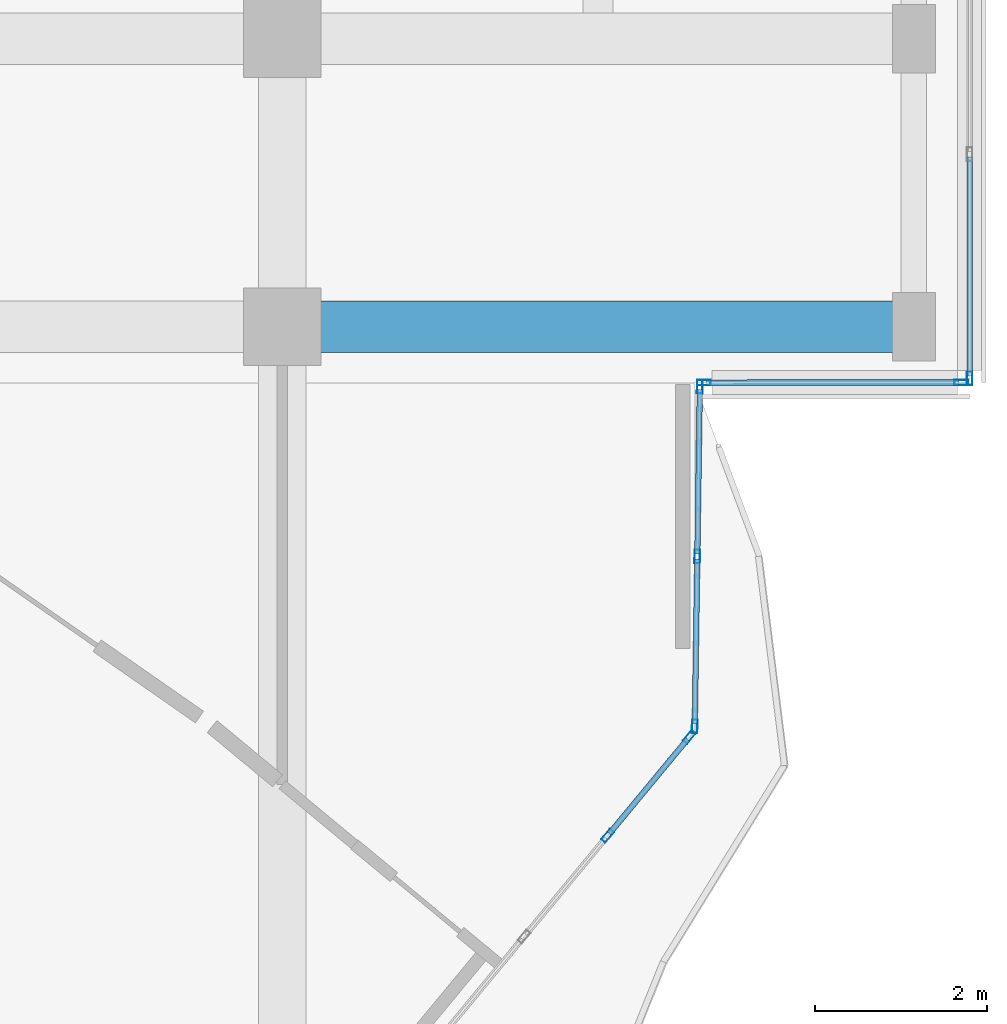
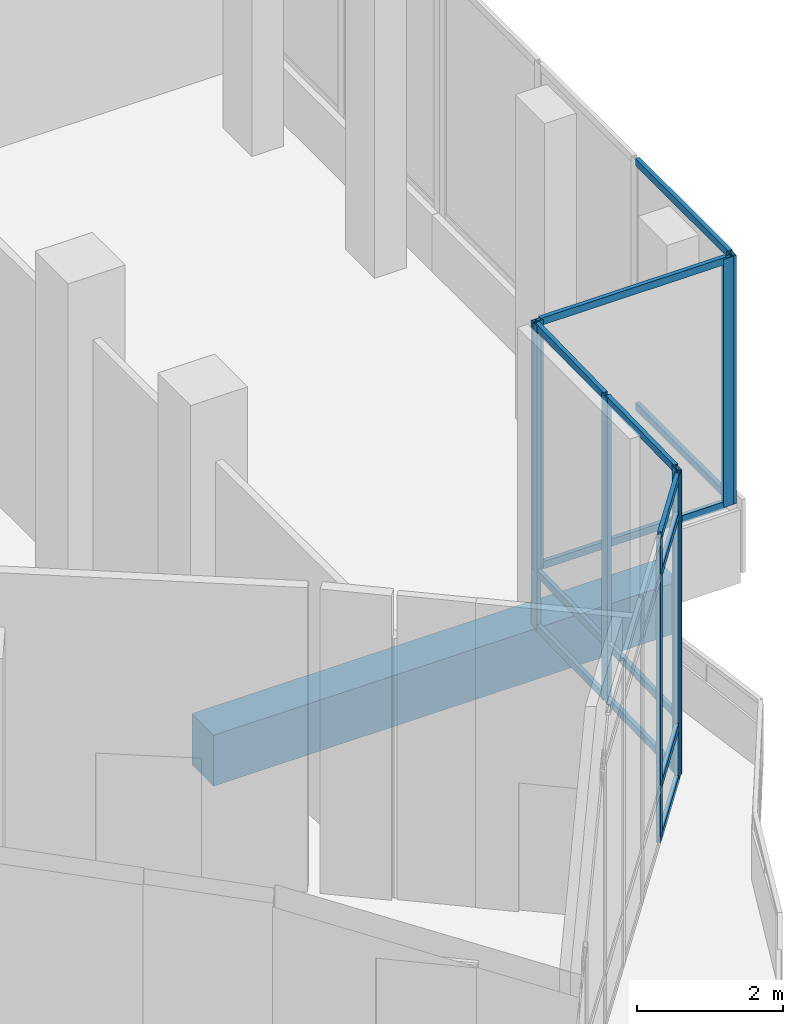
# One storey, part 102 of 158: 22 members, 1 beam, 4 elements without a shape of their own.
"""IFC4 building model written with IfcOpenShell, lengths in metres."""

from ifc_helpers import new_model, si_unit, direction, frame, origin, origin_2d, place, context, subcontext, project, spatial, rectangle, hollow_rectangle, extrude, material, material_profile, profile_set, type_object, element, aggregate, save


model = new_model("IFC4")

# Units and contexts
model_context = context("Model", 3, precision=1e-05, world=origin(), true_north=direction((0.0, 1.0)))
body_context = subcontext(model_context, "Body", "Model", "MODEL_VIEW")
ifc_project = project(units=[si_unit("LENGTHUNIT", "METRE"), si_unit("AREAUNIT", "SQUARE_METRE"), si_unit("VOLUMEUNIT", "CUBIC_METRE"), si_unit("PLANEANGLEUNIT", "RADIAN"), si_unit("MASSUNIT", "GRAM", prefix="KILO")], contexts=[model_context])

# Site, building, storey
site_placement = place(None, origin())
site = spatial("IfcSite", under=ifc_project, at=site_placement, CompositionType="ELEMENT")
building_placement = place(site_placement, origin())
building = spatial("IfcBuilding", under=site, at=building_placement, Name="Selatvlak General Hospital", CompositionType="ELEMENT")
storey_placement = place(building_placement, origin())
storey = spatial("IfcBuildingStorey", under=building, at=storey_placement, Name="L00", CompositionType="ELEMENT", Elevation=0.0)

# Beam
ifc_material_1 = material(Name="Concrete C40/50", Category="concrete")
ifc_material_profile_1 = material_profile(ifc_material_1, rectangle(XDim=0.60009765625, YDim=0.85009765625, at=origin_2d()), Name="RC-BM 600x850")
ifc_profile_set_1 = profile_set([ifc_material_profile_1], Name="Concrete C40/50")
beam_type = type_object("IfcBeamType", Name="BM-G01", PredefinedType="BEAM", material=ifc_profile_set_1)
beam_placement = place(storey_placement, frame((174.0, 64.64990234375, -0.77490234375), z_axis=(1.0, 0.0, 0.0), x_axis=(0.0, 1.0, 0.0)))
element("IfcBeam", 1, at=beam_placement, inside=storey, type_object=beam_type, Name="Beam BMR-L00-0012", PredefinedType="BEAM", context=body_context, shape_type="SweptSolid", body=[
    extrude(rectangle(XDim=0.60009765625, YDim=0.85009765625, at=origin_2d()), origin(), (0.0, 0.0, 1.0), 7.35009765625),
])

# Curtain wall, member
ifc_material_2 = material(Name="Solar-control Low-E double glazing", Category="glass")
curtain_wall_type_1 = type_object("IfcCurtainWallType", Name="CW-CW-02", PredefinedType="USERDEFINED", material=ifc_material_2)
curtain_wall_1_placement = place(storey_placement, origin())
curtain_wall_1 = element("IfcCurtainWall", 2, at=curtain_wall_1_placement, inside=storey, type_object=curtain_wall_type_1, Name="Glazed facade curtain wall CW-L00-0017", ObjectType="UNITISED CURTAIN WALL", PredefinedType="USERDEFINED")
ifc_material_3 = material(Name="Dark anodised aluminium mullion", Category="aluminium")
ifc_material_profile_2 = material_profile(ifc_material_3, hollow_rectangle(XDim=0.06494140625, YDim=0.159912109375, WallThickness=0.00390625, at=origin_2d()), Name="AL-MUL 65x160x4")
ifc_profile_set_2 = profile_set([ifc_material_profile_2], Name="Dark anodised aluminium mullion")
member_type_1 = type_object("IfcMemberType", Name="CWM-01", PredefinedType="MULLION", material=ifc_profile_set_2)
member_1_placement = place(storey_placement, frame((182.0, 64.048583984375, 0.93994140625), z_axis=(0.0, 0.0, 1.0), x_axis=(1.0, 0.0, 0.0)))
member_1 = element("IfcMember", 3, at=member_1_placement, type_object=member_type_1, Name="CW-02 mullion 4", PredefinedType="MULLION", context=body_context, shape_type="SweptSolid", body=[
    extrude(hollow_rectangle(XDim=0.06494140625, YDim=0.159912109375, WallThickness=0.00390625, at=origin_2d()), origin(), (0.0, 0.0, 1.0), 4.14013671875),
])

# Curtain wall, members
curtain_wall_2_placement = place(storey_placement, origin())
curtain_wall_2 = element("IfcCurtainWall", 4, at=curtain_wall_2_placement, inside=storey, type_object=curtain_wall_type_1, Name="Glazed facade curtain wall CW-L00-0018", ObjectType="UNITISED CURTAIN WALL", PredefinedType="USERDEFINED")
member_2_placement = place(storey_placement, frame((181.902587890625, 64.0009765625, 0.93994140625), z_axis=(0.0, 0.0, 1.0), x_axis=(0.000326797363, -0.999999946602, 0.0)))
member_2 = element("IfcMember", 5, at=member_2_placement, type_object=member_type_1, Name="CW-02 mullion 1", PredefinedType="MULLION", context=body_context, shape_type="SweptSolid", body=[
    extrude(hollow_rectangle(XDim=0.06494140625, YDim=0.159912109375, WallThickness=0.00390625, at=origin_2d()), origin(), (0.0, 0.0, 1.0), 4.14013671875),
])
member_3_placement = place(storey_placement, frame((178.907470703125, 64.0, 0.93994140625), z_axis=(0.0, 0.0, 1.0), x_axis=(0.000326797363, -0.999999946602, 0.0)))
member_3 = element("IfcMember", 6, at=member_3_placement, type_object=member_type_1, Name="CW-02 mullion 2", PredefinedType="MULLION", context=body_context, shape_type="SweptSolid", body=[
    extrude(hollow_rectangle(XDim=0.06494140625, YDim=0.159912109375, WallThickness=0.00390625, at=origin_2d()), origin(), (0.0, 0.0, 1.0), 4.14013671875),
])

curtain_wall_type_2 = type_object("IfcCurtainWallType", Name="CW-CW-01", PredefinedType="USERDEFINED", material=ifc_material_2)
curtain_wall_3_placement = place(storey_placement, origin())
curtain_wall_3 = element("IfcCurtainWall", 7, at=curtain_wall_3_placement, inside=storey, type_object=curtain_wall_type_2, Name="Glazed facade curtain wall CW-L00-0019", ObjectType="UNITISED CURTAIN WALL", PredefinedType="USERDEFINED")
member_4_placement = place(storey_placement, frame((178.859619140625, 63.952392578125, 0.0), z_axis=(0.0, 0.0, 1.0), x_axis=(0.999888635224, -0.014923710969, 0.0)))
member_4 = element("IfcMember", 8, at=member_4_placement, type_object=member_type_1, Name="CW-01 mullion 1", PredefinedType="MULLION", context=body_context, shape_type="SweptSolid", body=[
    extrude(hollow_rectangle(XDim=0.06494140625, YDim=0.159912109375, WallThickness=0.00390625, at=origin_2d()), origin(), (0.0, 0.0, 1.0), 5.080078125),
])
member_5_placement = place(storey_placement, frame((178.830078125, 61.97509765625, 0.0), z_axis=(0.0, 0.0, 1.0), x_axis=(0.999888635224, -0.014923710969, 0.0)))
member_5 = element("IfcMember", 9, at=member_5_placement, type_object=member_type_1, Name="CW-01 mullion 2", PredefinedType="MULLION", context=body_context, shape_type="SweptSolid", body=[
    extrude(hollow_rectangle(XDim=0.06494140625, YDim=0.159912109375, WallThickness=0.00390625, at=origin_2d()), origin(), (0.0, 0.0, 1.0), 5.080078125),
])
member_6_placement = place(storey_placement, frame((178.800537109375, 59.99755859375, 0.0), z_axis=(0.0, 0.0, 1.0), x_axis=(0.999888635224, -0.014923710969, 0.0)))
member_6 = element("IfcMember", 10, at=member_6_placement, type_object=member_type_1, Name="CW-01 mullion 3", PredefinedType="MULLION", context=body_context, shape_type="SweptSolid", body=[
    extrude(hollow_rectangle(XDim=0.06494140625, YDim=0.159912109375, WallThickness=0.00390625, at=origin_2d()), origin(), (0.0, 0.0, 1.0), 5.080078125),
])

curtain_wall_4_placement = place(storey_placement, origin())
curtain_wall_4 = element("IfcCurtainWall", 11, at=curtain_wall_4_placement, inside=storey, type_object=curtain_wall_type_2, Name="Glazed facade curtain wall CW-L00-0021", ObjectType="UNITISED CURTAIN WALL", PredefinedType="USERDEFINED")
member_7_placement = place(storey_placement, frame((178.7373046875, 59.8740234375, 0.0), z_axis=(0.0, 0.0, 1.0), x_axis=(0.770251713592, -0.637739992245, 0.0)))
member_7 = element("IfcMember", 12, at=member_7_placement, type_object=member_type_1, Name="CW-01 mullion 1", PredefinedType="MULLION", context=body_context, shape_type="SweptSolid", body=[
    extrude(hollow_rectangle(XDim=0.06494140625, YDim=0.159912109375, WallThickness=0.00390625, at=origin_2d()), origin(), (0.0, 0.0, 1.0), 5.080078125),
])
member_8_placement = place(storey_placement, frame((177.785888671875, 58.724853515625, 0.0), z_axis=(0.0, 0.0, 1.0), x_axis=(0.770251713592, -0.637739992245, 0.0)))
member_8 = element("IfcMember", 13, at=member_8_placement, type_object=member_type_1, Name="CW-01 mullion 2", PredefinedType="MULLION", context=body_context, shape_type="SweptSolid", body=[
    extrude(hollow_rectangle(XDim=0.06494140625, YDim=0.159912109375, WallThickness=0.00390625, at=origin_2d()), origin(), (0.0, 0.0, 1.0), 5.080078125),
])

# Member
ifc_material_profile_3 = material_profile(ifc_material_3, hollow_rectangle(XDim=0.06494140625, YDim=0.1201171875, WallThickness=0.00390625, at=origin_2d()), Name="AL-TRN 65x120x4")
ifc_profile_set_3 = profile_set([ifc_material_profile_3], Name="Dark anodised aluminium mullion")
member_type_2 = type_object("IfcMemberType", Name="CWT-01", PredefinedType="USERDEFINED", material=ifc_profile_set_3)
member_9_placement = place(storey_placement, frame((182.0, 66.62353515625, 0.972412109375), z_axis=(0.0, -1.0, 0.0), x_axis=(1.0, 0.0, 0.0)))
member_9 = element("IfcMember", 14, at=member_9_placement, type_object=member_type_2, Name="CW-02 transom 3.1", ObjectType="TRANSOM", PredefinedType="USERDEFINED", context=body_context, shape_type="SweptSolid", body=[
    extrude(hollow_rectangle(XDim=0.06494140625, YDim=0.1201171875, WallThickness=0.00390625, at=origin_2d()), origin(), (0.0, 0.0, 1.0), 2.54248046875),
])

member_10_placement = place(storey_placement, frame((182.0, 66.62353515625, 5.047607421875), z_axis=(0.0, -1.0, 0.0), x_axis=(1.0, 0.0, 0.0)))
member_10 = element("IfcMember", 15, at=member_10_placement, type_object=member_type_2, Name="CW-02 transom 3.2", ObjectType="TRANSOM", PredefinedType="USERDEFINED", context=body_context, shape_type="SweptSolid", body=[
    extrude(hollow_rectangle(XDim=0.06494140625, YDim=0.1201171875, WallThickness=0.00390625, at=origin_2d()), origin(), (0.0, 0.0, 1.0), 2.54248046875),
])

aggregate(curtain_wall_1, [member_1, member_9, member_10])

member_11_placement = place(storey_placement, frame((181.8701171875, 64.0009765625, 0.972412109375), z_axis=(-0.999999944463, -0.000333277769, 0.0), x_axis=(0.000333277769, -0.999999944463, 0.0)))
member_11 = element("IfcMember", 16, at=member_11_placement, type_object=member_type_2, Name="CW-02 transom 1.1", ObjectType="TRANSOM", PredefinedType="USERDEFINED", context=body_context, shape_type="SweptSolid", body=[
    extrude(hollow_rectangle(XDim=0.06494140625, YDim=0.1201171875, WallThickness=0.00390625, at=origin_2d()), origin(), (0.0, 0.0, 1.0), 2.93017578125),
])

member_12_placement = place(storey_placement, frame((181.8701171875, 64.0009765625, 5.047607421875), z_axis=(-0.999999944463, -0.000333277769, 0.0), x_axis=(0.000333277769, -0.999999944463, 0.0)))
member_12 = element("IfcMember", 17, at=member_12_placement, type_object=member_type_2, Name="CW-02 transom 1.2", ObjectType="TRANSOM", PredefinedType="USERDEFINED", context=body_context, shape_type="SweptSolid", body=[
    extrude(hollow_rectangle(XDim=0.06494140625, YDim=0.1201171875, WallThickness=0.00390625, at=origin_2d()), origin(), (0.0, 0.0, 1.0), 2.93017578125),
])

aggregate(curtain_wall_2, [member_2, member_3, member_11, member_12])

member_13_placement = place(storey_placement, frame((178.859130859375, 63.919921875, 0.032470703125), z_axis=(-0.014935139839, -0.999888464579, 0.0), x_axis=(0.999888464579, -0.014935139839, 0.0)))
member_13 = element("IfcMember", 18, at=member_13_placement, type_object=member_type_2, Name="CW-01 transom 1.1", ObjectType="TRANSOM", PredefinedType="USERDEFINED", context=body_context, shape_type="SweptSolid", body=[
    extrude(hollow_rectangle(XDim=0.06494140625, YDim=0.1201171875, WallThickness=0.00390625, at=origin_2d()), origin(), (0.0, 0.0, 1.0), 1.91259765625),
])

member_14_placement = place(storey_placement, frame((178.859130859375, 63.919921875, 0.949951171875), z_axis=(-0.014935139839, -0.999888464579, 0.0), x_axis=(0.999888464579, -0.014935139839, 0.0)))
member_14 = element("IfcMember", 19, at=member_14_placement, type_object=member_type_2, Name="CW-01 transom 1.2", ObjectType="TRANSOM", PredefinedType="USERDEFINED", context=body_context, shape_type="SweptSolid", body=[
    extrude(hollow_rectangle(XDim=0.06494140625, YDim=0.1201171875, WallThickness=0.00390625, at=origin_2d()), origin(), (0.0, 0.0, 1.0), 1.91259765625),
])

member_15_placement = place(storey_placement, frame((178.859130859375, 63.919921875, 5.047607421875), z_axis=(-0.014935139839, -0.999888464579, 0.0), x_axis=(0.999888464579, -0.014935139839, 0.0)))
member_15 = element("IfcMember", 20, at=member_15_placement, type_object=member_type_2, Name="CW-01 transom 1.3", ObjectType="TRANSOM", PredefinedType="USERDEFINED", context=body_context, shape_type="SweptSolid", body=[
    extrude(hollow_rectangle(XDim=0.06494140625, YDim=0.1201171875, WallThickness=0.00390625, at=origin_2d()), origin(), (0.0, 0.0, 1.0), 1.91259765625),
])

member_16_placement = place(storey_placement, frame((178.82958984375, 61.9423828125, 0.032470703125), z_axis=(-0.014935139839, -0.999888464579, 0.0), x_axis=(0.999888464579, -0.014935139839, 0.0)))
member_16 = element("IfcMember", 21, at=member_16_placement, type_object=member_type_2, Name="CW-01 transom 2.1", ObjectType="TRANSOM", PredefinedType="USERDEFINED", context=body_context, shape_type="SweptSolid", body=[
    extrude(hollow_rectangle(XDim=0.06494140625, YDim=0.1201171875, WallThickness=0.00390625, at=origin_2d()), origin(), (0.0, 0.0, 1.0), 1.91259765625),
])

member_17_placement = place(storey_placement, frame((178.82958984375, 61.9423828125, 0.949951171875), z_axis=(-0.014935139839, -0.999888464579, 0.0), x_axis=(0.999888464579, -0.014935139839, 0.0)))
member_17 = element("IfcMember", 22, at=member_17_placement, type_object=member_type_2, Name="CW-01 transom 2.2", ObjectType="TRANSOM", PredefinedType="USERDEFINED", context=body_context, shape_type="SweptSolid", body=[
    extrude(hollow_rectangle(XDim=0.06494140625, YDim=0.1201171875, WallThickness=0.00390625, at=origin_2d()), origin(), (0.0, 0.0, 1.0), 1.91259765625),
])

member_18_placement = place(storey_placement, frame((178.82958984375, 61.9423828125, 5.047607421875), z_axis=(-0.014935139839, -0.999888464579, 0.0), x_axis=(0.999888464579, -0.014935139839, 0.0)))
member_18 = element("IfcMember", 23, at=member_18_placement, type_object=member_type_2, Name="CW-01 transom 2.3", ObjectType="TRANSOM", PredefinedType="USERDEFINED", context=body_context, shape_type="SweptSolid", body=[
    extrude(hollow_rectangle(XDim=0.06494140625, YDim=0.1201171875, WallThickness=0.00390625, at=origin_2d()), origin(), (0.0, 0.0, 1.0), 1.91259765625),
])

aggregate(curtain_wall_3, [member_4, member_5, member_6, member_13, member_14, member_15, member_16, member_17, member_18])

member_19_placement = place(storey_placement, frame((178.716552734375, 59.848876953125, 0.032470703125), z_axis=(-0.637690265355, -0.770292882916, 0.0), x_axis=(0.770292882916, -0.637690265355, 0.0)))
member_19 = element("IfcMember", 24, at=member_19_placement, type_object=member_type_2, Name="CW-01 transom 1.1", ObjectType="TRANSOM", PredefinedType="USERDEFINED", context=body_context, shape_type="SweptSolid", body=[
    extrude(hollow_rectangle(XDim=0.06494140625, YDim=0.1201171875, WallThickness=0.00390625, at=origin_2d()), origin(), (0.0, 0.0, 1.0), 1.427001953125),
])

member_20_placement = place(storey_placement, frame((178.716552734375, 59.848876953125, 0.89990234375), z_axis=(-0.637690265355, -0.770292882916, 0.0), x_axis=(0.770292882916, -0.637690265355, 0.0)))
member_20 = element("IfcMember", 25, at=member_20_placement, type_object=member_type_2, Name="CW-01 transom 1.2", ObjectType="TRANSOM", PredefinedType="USERDEFINED", context=body_context, shape_type="SweptSolid", body=[
    extrude(hollow_rectangle(XDim=0.06494140625, YDim=0.1201171875, WallThickness=0.00390625, at=origin_2d()), origin(), (0.0, 0.0, 1.0), 1.427001953125),
])

member_21_placement = place(storey_placement, frame((178.716552734375, 59.848876953125, 4.429931640625), z_axis=(-0.637690265355, -0.770292882916, 0.0), x_axis=(0.770292882916, -0.637690265355, 0.0)))
member_21 = element("IfcMember", 26, at=member_21_placement, type_object=member_type_2, Name="CW-01 transom 1.3", ObjectType="TRANSOM", PredefinedType="USERDEFINED", context=body_context, shape_type="SweptSolid", body=[
    extrude(hollow_rectangle(XDim=0.06494140625, YDim=0.1201171875, WallThickness=0.00390625, at=origin_2d()), origin(), (0.0, 0.0, 1.0), 1.427001953125),
])

member_22_placement = place(storey_placement, frame((178.716552734375, 59.848876953125, 5.047607421875), z_axis=(-0.637690265355, -0.770292882916, 0.0), x_axis=(0.770292882916, -0.637690265355, 0.0)))
member_22 = element("IfcMember", 27, at=member_22_placement, type_object=member_type_2, Name="CW-01 transom 1.4", ObjectType="TRANSOM", PredefinedType="USERDEFINED", context=body_context, shape_type="SweptSolid", body=[
    extrude(hollow_rectangle(XDim=0.06494140625, YDim=0.1201171875, WallThickness=0.00390625, at=origin_2d()), origin(), (0.0, 0.0, 1.0), 1.427001953125),
])

aggregate(curtain_wall_4, [member_7, member_8, member_19, member_20, member_21, member_22])

save(model, "model.ifc")
